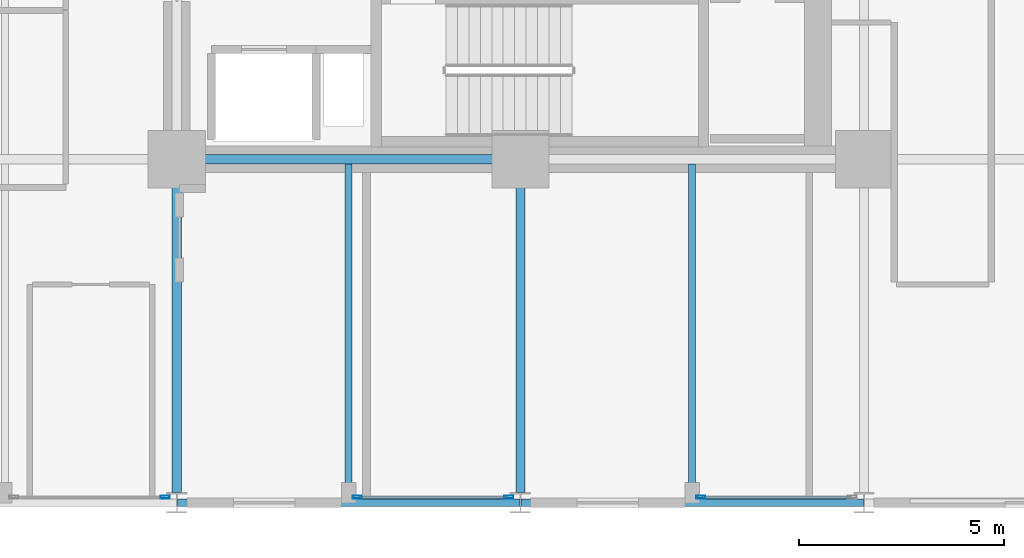
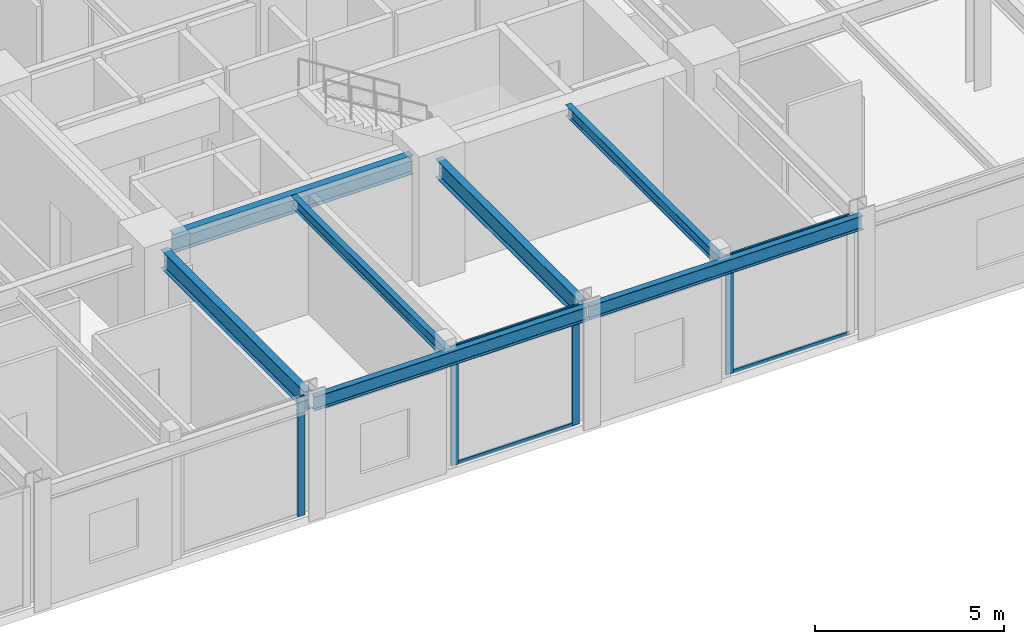
# One storey, part 6 of 26: 8 members, 7 beams, 3 elements without a shape of their own.
"""IFC4 building model written with IfcOpenShell, lengths in metres."""

import ifcopenshell
import ifcopenshell.guid

model = None  # the IFC model being written
_history = None  # IfcOwnerHistory: only IFC2X3 demands one
_inside = {}  # id of a spatial element -> (the spatial element, [elements in it])
_under = {}  # id of a project, library or spatial element -> (it, [spatial elements below it])
_declared = {}  # id of a project -> (the project, [libraries it declares])
_typed = {}  # id of a type object -> (the type object, [elements of that type])
_made_of = {}  # id of a material, layer set ... -> (it, [elements and type objects made of it])


def new_model(schema):
    """Start an empty IFC model of exactly this schema.

    Asked for "IFC4X3", IfcOpenShell would pick the latest addendum, in which some entities
    have other attributes; the version numbers below select the first issue.
    IFC2X3 requires an IfcOwnerHistory on every rooted entity: one is made here for all.
    """
    global model, _history
    if schema == "IFC4X3":
        model = ifcopenshell.file(schema_version=(4, 3, 0, 0))
    else:
        model = ifcopenshell.file(schema=schema)
    _inside.clear()
    _under.clear()
    _declared.clear()
    _typed.clear()
    _made_of.clear()
    _history = None
    if model.schema == "IFC2X3":
        org = make("IfcOrganization", Name="unknown")
        user = make(
            "IfcPersonAndOrganization",
            ThePerson=make("IfcPerson", FamilyName="unknown"),
            TheOrganization=org,
        )
        app = make(
            "IfcApplication",
            ApplicationDeveloper=org,
            Version="unknown",
            ApplicationFullName="unknown",
            ApplicationIdentifier="unknown",
        )
        _history = make(
            "IfcOwnerHistory",
            OwningUser=user,
            OwningApplication=app,
            ChangeAction="ADDED",
            CreationDate=0,
        )
    return model


def make(cls, **values):
    """One entity of the class cls with the attributes given. An attribute that is None is left unset."""
    return model.create_entity(
        cls, **{name: value for name, value in values.items() if value is not None}
    )


def rooted(cls, **values):
    """An entity with a GlobalId (a new one), such as an element, a storey or a relation."""
    return make(cls, GlobalId=ifcopenshell.guid.new(), OwnerHistory=_history, **values)


def si_unit(unit_type, name, prefix=None):
    """IfcSIUnit, for example si_unit("LENGTHUNIT", "METRE", prefix="MILLI")."""
    return make("IfcSIUnit", UnitType=unit_type, Prefix=prefix, Name=name)


def assignment(units):
    """IfcUnitAssignment: the units of a project."""
    return None if units is None else make("IfcUnitAssignment", Units=units)


def point(xyz):
    """IfcCartesianPoint."""
    return None if xyz is None else make("IfcCartesianPoint", Coordinates=xyz)


def direction(xyz):
    """IfcDirection."""
    return None if xyz is None else make("IfcDirection", DirectionRatios=xyz)


def frame(location, z_axis=None, x_axis=None):
    """IfcAxis2Placement3D, a coordinate frame: its origin and axes. An axis left out is left unset."""
    return make(
        "IfcAxis2Placement3D",
        Location=point(location),
        Axis=direction(z_axis),
        RefDirection=direction(x_axis),
    )


def frame_2d(location, x_axis=None):
    """IfcAxis2Placement2D, a coordinate frame in the plane: its origin and x axis."""
    return make(
        "IfcAxis2Placement2D", Location=point(location), RefDirection=direction(x_axis)
    )


def origin():
    """The frame at (0, 0, 0) with its axes left unset."""
    return frame((0.0, 0.0, 0.0))


def origin_2d():
    """The frame at (0, 0) in the plane with its x axis left unset."""
    return frame_2d((0.0, 0.0))


def place(relative_to, where):
    """IfcLocalPlacement: puts the frame where relative to a parent placement (None: the world)."""
    return make(
        "IfcLocalPlacement", PlacementRelTo=relative_to, RelativePlacement=where
    )


def context(
    kind, dimensions, precision=None, world=None, true_north=None, identifier=None
):
    """IfcGeometricRepresentationContext, for example the 3D "Model" context."""
    return make(
        "IfcGeometricRepresentationContext",
        ContextIdentifier=identifier,
        ContextType=kind,
        CoordinateSpaceDimension=dimensions,
        Precision=precision,
        WorldCoordinateSystem=world,
        TrueNorth=true_north,
    )


def subcontext(parent, identifier, kind, view, scale=None):
    """IfcGeometricRepresentationSubContext, for example "Body" below "Model"."""
    return make(
        "IfcGeometricRepresentationSubContext",
        ContextIdentifier=identifier,
        ContextType=kind,
        ParentContext=parent,
        TargetScale=scale,
        TargetView=view,
    )


def project(units=None, contexts=None):
    """IfcProject with its units and contexts."""
    return rooted(
        "IfcProject",
        Name="project",
        RepresentationContexts=contexts,
        UnitsInContext=assignment(units),
    )


def spatial(cls, under=None, at=None, **own):
    """A site, building, storey or space (cls), placed at a placement, below another one or the project."""
    s = rooted(cls, ObjectPlacement=at, **own)
    if under is not None:
        _under.setdefault(under.id(), (under, []))[1].append(s)
    return s


def profile(cls, at=None, kind="AREA", **sizes):
    """A parametric profile (cls). Its sizes go by their IFC names, for example OverallWidth=200.0."""
    return make(cls, ProfileType=kind, Position=at, **sizes)


def hollow_rectangle(**sizes):
    """IfcRectangleHollowProfileDef."""
    return profile("IfcRectangleHollowProfileDef", **sizes)


def i_section(**sizes):
    """IfcIShapeProfileDef."""
    return profile("IfcIShapeProfileDef", **sizes)


def extrude(swept, where, along, depth):
    """IfcExtrudedAreaSolid: the profile swept, set in the frame where, extruded along a direction by depth."""
    return make(
        "IfcExtrudedAreaSolid",
        SweptArea=swept,
        Position=where,
        ExtrudedDirection=direction(along),
        Depth=depth,
    )


def shape(context_of_items, identifier, shape_type, items):
    """IfcShapeRepresentation: the items that make up one representation, for example the "Body"."""
    return make(
        "IfcShapeRepresentation",
        ContextOfItems=context_of_items,
        RepresentationIdentifier=identifier,
        RepresentationType=shape_type,
        Items=items,
    )


def material(Name=None, Category=None):
    """IfcMaterial."""
    return make("IfcMaterial", Name=Name, Category=Category)


def layer(
    of_material, thickness, ventilated=None, Name=None, Category=None, Priority=None
):
    """IfcMaterialLayer: one layer of a wall or slab, of a material (None: an air gap)."""
    return make(
        "IfcMaterialLayer",
        Material=of_material,
        LayerThickness=thickness,
        IsVentilated=ventilated,
        Name=Name,
        Category=Category,
        Priority=Priority,
    )


def layer_set(layers, Name=None):
    """IfcMaterialLayerSet."""
    return make("IfcMaterialLayerSet", MaterialLayers=layers, LayerSetName=Name)


def material_profile(
    of_material, cross_section, Name=None, Category=None, Priority=None
):
    """IfcMaterialProfile: a cross section and its material."""
    return make(
        "IfcMaterialProfile",
        Name=Name,
        Material=of_material,
        Profile=cross_section,
        Priority=Priority,
        Category=Category,
    )


def profile_set(profiles, Name=None, composite=None):
    """IfcMaterialProfileSet."""
    return make(
        "IfcMaterialProfileSet",
        Name=Name,
        MaterialProfiles=profiles,
        CompositeProfile=composite,
    )


def made_of(thing, what):
    """Note that an element or type object is made of a material, layer set ...; save() writes the relation."""
    if what is not None:
        _made_of.setdefault(what.id(), (what, []))[1].append(thing)
    return thing


def type_object(cls, material=None, **own):
    """A type object (cls), such as IfcWallType, which elements share."""
    return made_of(rooted(cls, **own), material)


def element(
    cls,
    number,
    at=None,
    inside=None,
    cuts=None,
    type_object=None,
    material=None,
    context=None,
    identifier="Body",
    shape_type=None,
    held_by="IfcProductDefinitionShape",
    body=None,
    shapes=None,
    **own,
):
    """One element of the class cls, such as IfcWall. Its Tag is "e" and its number.

    at: its placement. inside: the storey or other place that contains it. cuts: it is an
    opening in that element (IfcRelVoidsElement). A single representation is given by context,
    identifier, shape_type and body (its items); several are given by shapes. held_by: the class
    of the entity that holds the representations. save() writes the other relations.
    """
    e = rooted(cls, Tag="e%d" % number, ObjectPlacement=at, **own)
    if body is not None:
        shapes = [shape(context, identifier, shape_type, body)]
    if shapes is not None:
        e.Representation = make(held_by, Representations=shapes)
    if inside is not None:
        _inside.setdefault(inside.id(), (inside, []))[1].append(e)
    if cuts is not None:
        rooted(
            "IfcRelVoidsElement", RelatingBuildingElement=cuts, RelatedOpeningElement=e
        )
    if type_object is not None:
        _typed.setdefault(type_object.id(), (type_object, []))[1].append(e)
    return made_of(e, material)


def aggregate(whole, parts):
    """IfcRelAggregates: a whole, such as a stair, and the parts it consists of."""
    return rooted("IfcRelAggregates", RelatingObject=whole, RelatedObjects=parts)


def save(model, path):
    """Write the relations noted so far, then the file.

    IfcRelAggregates (storeys below a building ...), IfcRelContainedInSpatialStructure (elements
    in a storey), IfcRelDefinesByType, IfcRelAssociatesMaterial and IfcRelDeclares: one each for
    every whole, place, type object, material and project.
    """
    for whole, parts in _under.values():
        aggregate(whole, parts)
    for where, things in _inside.values():
        rooted(
            "IfcRelContainedInSpatialStructure",
            RelatedElements=things,
            RelatingStructure=where,
        )
    for kind, things in _typed.values():
        rooted("IfcRelDefinesByType", RelatedObjects=things, RelatingType=kind)
    for what, things in _made_of.values():
        rooted("IfcRelAssociatesMaterial", RelatedObjects=things, RelatingMaterial=what)
    for by, libraries in _declared.values():
        rooted("IfcRelDeclares", RelatingContext=by, RelatedDefinitions=libraries)
    model.write(path)


model = new_model("IFC4")

# Units and contexts
model_context = context("Model", 3, precision=1e-05, world=origin(), true_north=direction((0.0, 1.0)))
body_context = subcontext(model_context, "Body", "Model", "MODEL_VIEW")
ifc_project = project(units=[si_unit("LENGTHUNIT", "METRE"), si_unit("AREAUNIT", "SQUARE_METRE"), si_unit("VOLUMEUNIT", "CUBIC_METRE"), si_unit("PLANEANGLEUNIT", "RADIAN"), si_unit("MASSUNIT", "GRAM", prefix="KILO")], contexts=[model_context])

# Site, building, storey
site_placement = place(None, origin())
site = spatial("IfcSite", under=ifc_project, at=site_placement, CompositionType="ELEMENT")
building_placement = place(site_placement, origin())
building = spatial("IfcBuilding", under=site, at=building_placement, Name="Nerrivon Quay Data Exchange", CompositionType="ELEMENT")
storey_placement = place(building_placement, frame((0.0, 0.0, 75.199951171875)))
storey = spatial("IfcBuildingStorey", under=building, at=storey_placement, Name="L17", CompositionType="ELEMENT", Elevation=75.199951171875)

# Beams
ifc_material_1 = material(Name="Steel Grade 350", Category="steel")
ifc_material_profile_1 = material_profile(ifc_material_1, i_section(OverallWidth=0.22900390625, OverallDepth=0.612060546875, WebThickness=0.011962890625, FlangeThickness=0.01953125, FilletRadius=0.013916015625, at=origin_2d()), Name="610UB125")
ifc_profile_set_1 = profile_set([ifc_material_profile_1], Name="Steel Grade 350")
beam_type_1 = type_object("IfcBeamType", Name="BM-G1-610UB125", PredefinedType="BEAM", material=ifc_profile_set_1)
beam_1_placement = place(storey_placement, frame((17.340087890625, 8.39990234375, 3.5439453125), z_axis=(1.0, 0.0, 0.0), x_axis=(0.0, 1.0, 0.0)))
element("IfcBeam", 1, at=beam_1_placement, inside=storey, type_object=beam_type_1, Name="L17 EW Girder Y=8.4 (16.8..25.2)", PredefinedType="BEAM", context=body_context, shape_type="SweptSolid", body=[
    extrude(i_section(OverallWidth=0.22900390625, OverallDepth=0.612060546875, WebThickness=0.011962890625, FlangeThickness=0.01953125, FilletRadius=0.013916015625, at=origin_2d()), origin(), (0.0, 0.0, 1.0), 7.31982421875),
])
ifc_material_profile_2 = material_profile(ifc_material_1, i_section(OverallWidth=0.22802734375, OverallDepth=0.60205078125, WebThickness=0.010498046875, FlangeThickness=0.014892578125, FilletRadius=0.013916015625, at=origin_2d()), Name="610UB101")
ifc_profile_set_2 = profile_set([ifc_material_profile_2], Name="Steel Grade 350")
beam_type_2 = type_object("IfcBeamType", Name="BM-G2-610UB101", PredefinedType="BEAM", material=ifc_profile_set_2)
for number, where, z_axis, x_axis, name in (
    (2, (16.800048828125, 0.25, 3.549072265625), (0.0, 1.0, 0.0), (-1.0, 0.0, 0.0), "L17 NS Girder X=16.8 (0.0..8.4)"),
    (3, (25.199951171875, 0.25, 3.549072265625), (0.0, 1.0, 0.0), (-1.0, 0.0, 0.0), "L17 NS Girder X=25.2 (0.0..8.4)"),
):
    element("IfcBeam", number, at=place(storey_placement, frame(where, z_axis=z_axis, x_axis=x_axis)), inside=storey, type_object=beam_type_2, Name=name, PredefinedType="BEAM", context=body_context, shape_type="SweptSolid", body=[
        extrude(i_section(OverallWidth=0.22802734375, OverallDepth=0.60205078125, WebThickness=0.010498046875, FlangeThickness=0.014892578125, FilletRadius=0.013916015625, at=origin_2d()), origin(), (0.0, 0.0, 1.0), 7.610107421875),
    ])
ifc_material_profile_3 = material_profile(ifc_material_1, i_section(OverallWidth=0.172119140625, OverallDepth=0.35888671875, WebThickness=0.008056640625, FlangeThickness=0.012939453125, FilletRadius=0.011474609375, at=origin_2d()), Name="360UB56.7")
ifc_profile_set_3 = profile_set([ifc_material_profile_3], Name="Steel Grade 350")
beam_type_3 = type_object("IfcBeamType", Name="BM-J3-360UB57", PredefinedType="JOIST", material=ifc_profile_set_3)
for number, where, z_axis, x_axis, name in (
    (4, (21.0, 0.094970703125, 3.670654296875), (0.0, 1.0, 0.0), (-1.0, 0.0, 0.0), "L17 Secondary Joist X=21.0 (0.0..8.4)"),
    (5, (29.39990234375, 0.094970703125, 3.670654296875), (0.0, 1.0, 0.0), (-1.0, 0.0, 0.0), "L17 Secondary Joist X=29.4 (0.0..8.4)"),
):
    element("IfcBeam", number, at=place(storey_placement, frame(where, z_axis=z_axis, x_axis=x_axis)), inside=storey, type_object=beam_type_3, Name=name, PredefinedType="JOIST", context=body_context, shape_type="SweptSolid", body=[
        extrude(i_section(OverallWidth=0.172119140625, OverallDepth=0.35888671875, WebThickness=0.008056640625, FlangeThickness=0.012939453125, FilletRadius=0.011474609375, at=origin_2d()), origin(), (0.0, 0.0, 1.0), 8.1904296875),
    ])
ifc_material_profile_4 = material_profile(ifc_material_1, i_section(OverallWidth=0.18994140625, OverallDepth=0.4541015625, WebThickness=0.008544921875, FlangeThickness=0.0126953125, FilletRadius=0.011474609375, at=origin_2d()), Name="460UB67.1")
ifc_profile_set_4 = profile_set([ifc_material_profile_4], Name="Steel Grade 350")
beam_type_4 = type_object("IfcBeamType", Name="BM-SP1-460UB67", PredefinedType="SPANDREL", material=ifc_profile_set_4)
beam_2_placement = place(storey_placement, frame((16.81396484375, 0.0, 3.623046875), z_axis=(1.0, 0.0, 0.0), x_axis=(0.0, 1.0, 0.0)))
element("IfcBeam", 6, at=beam_2_placement, inside=storey, type_object=beam_type_4, Name="L17 EW Girder Y=0.0 (16.8..25.2)", PredefinedType="SPANDREL", context=body_context, shape_type="SweptSolid", body=[
    extrude(i_section(OverallWidth=0.18994140625, OverallDepth=0.4541015625, WebThickness=0.008544921875, FlangeThickness=0.0126953125, FilletRadius=0.011474609375, at=origin_2d()), origin(), (0.0, 0.0, 1.0), 8.3720703125),
])
beam_3_placement = place(storey_placement, frame((25.214111328125, 0.0, 3.623046875), z_axis=(1.0, 0.0, 0.0), x_axis=(0.0, 1.0, 0.0)))
element("IfcBeam", 7, at=beam_3_placement, inside=storey, type_object=beam_type_4, Name="L17 EW Girder Y=0.0 (25.2..33.6)", PredefinedType="SPANDREL", context=body_context, shape_type="SweptSolid", body=[
    extrude(i_section(OverallWidth=0.18994140625, OverallDepth=0.4541015625, WebThickness=0.008544921875, FlangeThickness=0.0126953125, FilletRadius=0.011474609375, at=origin_2d()), origin(), (0.0, 0.0, 1.0), 8.371826171875),
])

# Curtain wall, member
ifc_material_2 = material(Name="Anodised aluminium 6063-T6", Category="aluminium")
ifc_layer = layer(ifc_material_2, 0.219970703125)
ifc_layer_set = layer_set([ifc_layer], Name="Anodised aluminium 6063-T6")
curtain_wall_type = type_object("IfcCurtainWallType", Name="CW-SYS-01", PredefinedType="NOTDEFINED", material=ifc_layer_set)
curtain_wall_1_placement = place(storey_placement, origin())
curtain_wall_1 = element("IfcCurtainWall", 8, at=curtain_wall_1_placement, inside=storey, type_object=curtain_wall_type, Name="L17 Unitised Curtain Wall 8", PredefinedType="NOTDEFINED")
ifc_material_profile_5 = material_profile(ifc_material_2, hollow_rectangle(XDim=0.074951171875, YDim=0.219970703125, WallThickness=0.00390625, at=origin_2d()), Name="ALU-MULL-220x75")
ifc_profile_set_5 = profile_set([ifc_material_profile_5], Name="Anodised aluminium 6063-T6")
member_type_1 = type_object("IfcMemberType", Name="CWM-220x75", PredefinedType="MULLION", material=ifc_profile_set_5)
member_1_placement = place(storey_placement, frame((29.612548828125, 0.139892578125, 0.0), z_axis=(0.0, 0.0, 1.0), x_axis=(0.0, -1.0, 0.0)))
member_1 = element("IfcMember", 9, at=member_1_placement, type_object=member_type_1, Name="CW01 mullion 2", PredefinedType="MULLION", context=body_context, shape_type="SweptSolid", body=[
    extrude(hollow_rectangle(XDim=0.074951171875, YDim=0.219970703125, WallThickness=0.00390625, at=origin_2d()), origin(), (0.0, 0.0, 1.0), 3.85009765625),
])

# Curtain wall, members
curtain_wall_2_placement = place(storey_placement, origin())
curtain_wall_2 = element("IfcCurtainWall", 10, at=curtain_wall_2_placement, inside=storey, type_object=curtain_wall_type, Name="L17 Unitised Curtain Wall 10", PredefinedType="NOTDEFINED")
member_2_placement = place(storey_placement, frame((24.91259765625, 0.139892578125, 0.0), z_axis=(0.0, 0.0, 1.0), x_axis=(0.0, -1.0, 0.0)))
member_2 = element("IfcMember", 11, at=member_2_placement, type_object=member_type_1, Name="CW01 mullion 1", PredefinedType="MULLION", context=body_context, shape_type="SweptSolid", body=[
    extrude(hollow_rectangle(XDim=0.074951171875, YDim=0.219970703125, WallThickness=0.00390625, at=origin_2d()), origin(), (0.0, 0.0, 1.0), 3.85009765625),
])
member_3_placement = place(storey_placement, frame((21.21240234375, 0.139892578125, 0.0), z_axis=(0.0, 0.0, 1.0), x_axis=(0.0, -1.0, 0.0)))
member_3 = element("IfcMember", 12, at=member_3_placement, type_object=member_type_1, Name="CW01 mullion 2", PredefinedType="MULLION", context=body_context, shape_type="SweptSolid", body=[
    extrude(hollow_rectangle(XDim=0.074951171875, YDim=0.219970703125, WallThickness=0.00390625, at=origin_2d()), origin(), (0.0, 0.0, 1.0), 3.85009765625),
])

# Curtain wall, member
curtain_wall_3_placement = place(storey_placement, origin())
curtain_wall_3 = element("IfcCurtainWall", 13, at=curtain_wall_3_placement, inside=storey, type_object=curtain_wall_type, Name="L17 Unitised Curtain Wall 12", PredefinedType="NOTDEFINED")
member_4_placement = place(storey_placement, frame((16.512451171875, 0.139892578125, 0.0), z_axis=(0.0, 0.0, 1.0), x_axis=(0.0, -1.0, 0.0)))
member_4 = element("IfcMember", 14, at=member_4_placement, type_object=member_type_1, Name="CW01 mullion 1", PredefinedType="MULLION", context=body_context, shape_type="SweptSolid", body=[
    extrude(hollow_rectangle(XDim=0.074951171875, YDim=0.219970703125, WallThickness=0.00390625, at=origin_2d()), origin(), (0.0, 0.0, 1.0), 3.85009765625),
])
aggregate(curtain_wall_3, [member_4])

# Member
ifc_material_profile_6 = material_profile(ifc_material_2, hollow_rectangle(XDim=0.06005859375, YDim=0.1201171875, WallThickness=0.003173828125, at=origin_2d()), Name="ALU-TRAN-120x60")
ifc_profile_set_6 = profile_set([ifc_material_profile_6], Name="Anodised aluminium 6063-T6")
member_type_2 = type_object("IfcMemberType", Name="CWT-120x60", PredefinedType="USERDEFINED", material=ifc_profile_set_6)
member_5_placement = place(storey_placement, frame((33.27490234375, 0.139892578125, 0.032470703125), z_axis=(-1.0, 0.0, 0.0), x_axis=(0.0, -1.0, 0.0)))
member_5 = element("IfcMember", 15, at=member_5_placement, type_object=member_type_2, Name="CW01 transom 1.1", ObjectType="TRANSOM", PredefinedType="USERDEFINED", context=body_context, shape_type="SweptSolid", body=[
    extrude(hollow_rectangle(XDim=0.06005859375, YDim=0.1201171875, WallThickness=0.003173828125, at=origin_2d()), origin(), (0.0, 0.0, 1.0), 3.625),
])

member_6_placement = place(storey_placement, frame((33.27490234375, 0.139892578125, 3.817626953125), z_axis=(-1.0, 0.0, 0.0), x_axis=(0.0, -1.0, 0.0)))
member_6 = element("IfcMember", 16, at=member_6_placement, type_object=member_type_2, Name="CW01 transom 1.2", ObjectType="TRANSOM", PredefinedType="USERDEFINED", context=body_context, shape_type="SweptSolid", body=[
    extrude(hollow_rectangle(XDim=0.06005859375, YDim=0.1201171875, WallThickness=0.003173828125, at=origin_2d()), origin(), (0.0, 0.0, 1.0), 3.625),
])

aggregate(curtain_wall_1, [member_1, member_5, member_6])

member_7_placement = place(storey_placement, frame((24.875, 0.139892578125, 0.032470703125), z_axis=(-1.0, 0.0, 0.0), x_axis=(0.0, -1.0, 0.0)))
member_7 = element("IfcMember", 17, at=member_7_placement, type_object=member_type_2, Name="CW01 transom 1.1", ObjectType="TRANSOM", PredefinedType="USERDEFINED", context=body_context, shape_type="SweptSolid", body=[
    extrude(hollow_rectangle(XDim=0.06005859375, YDim=0.1201171875, WallThickness=0.003173828125, at=origin_2d()), origin(), (0.0, 0.0, 1.0), 3.625),
])

member_8_placement = place(storey_placement, frame((24.875, 0.139892578125, 3.817626953125), z_axis=(-1.0, 0.0, 0.0), x_axis=(0.0, -1.0, 0.0)))
member_8 = element("IfcMember", 18, at=member_8_placement, type_object=member_type_2, Name="CW01 transom 1.2", ObjectType="TRANSOM", PredefinedType="USERDEFINED", context=body_context, shape_type="SweptSolid", body=[
    extrude(hollow_rectangle(XDim=0.06005859375, YDim=0.1201171875, WallThickness=0.003173828125, at=origin_2d()), origin(), (0.0, 0.0, 1.0), 3.625),
])

aggregate(curtain_wall_2, [member_2, member_3, member_7, member_8])

save(model, "model.ifc")
